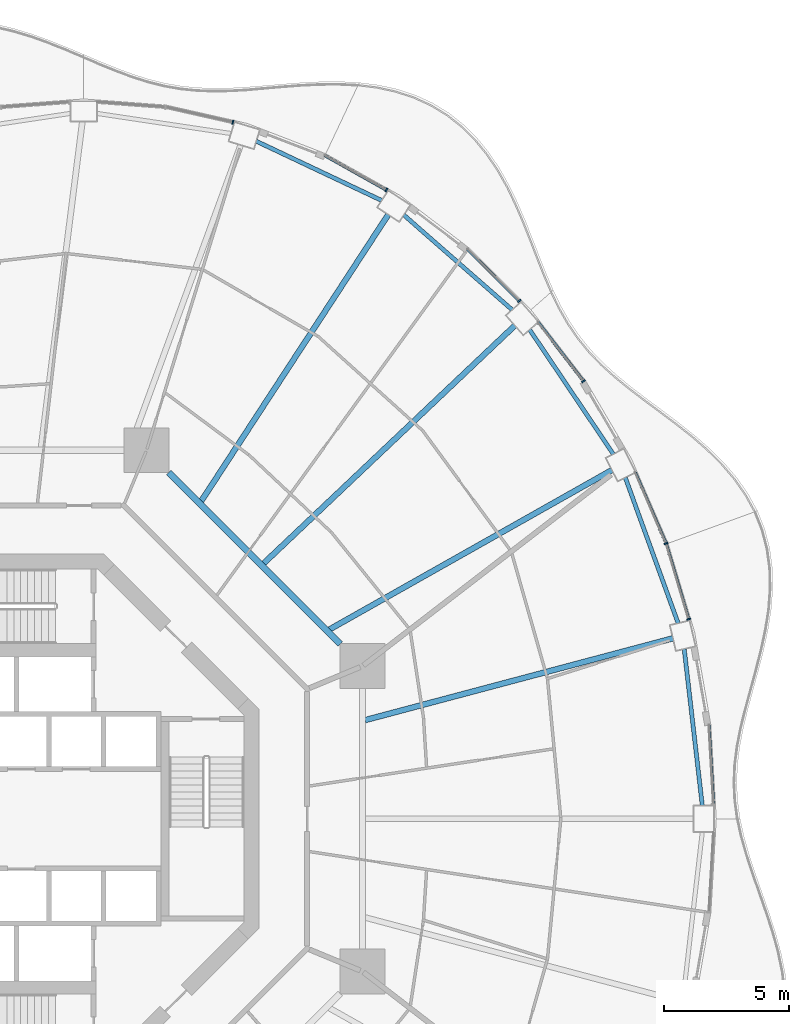
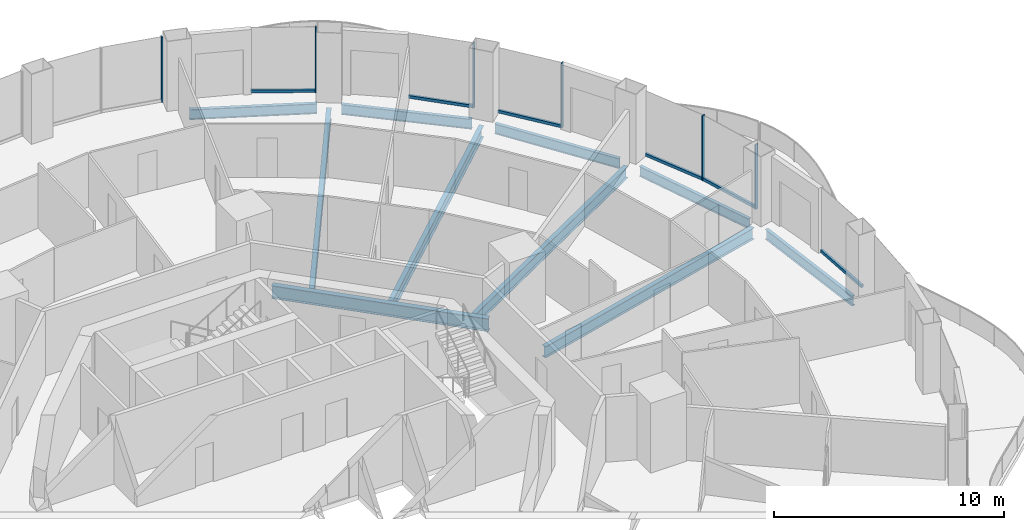
# One storey, part 8 of 19: 12 members, 10 beams, 7 elements without a shape of their own.
"""IFC4 building model written with IfcOpenShell, lengths in metres."""

from ifc_helpers import new_model, si_unit, direction, frame, origin, origin_2d, place, context, subcontext, project, spatial, rectangle, i_section, extrude, material, layer, layer_set, material_profile, profile_set, type_object, element, aggregate, save


model = new_model("IFC4")

# Units and contexts
model_context = context("Model", 3, precision=1e-05, world=origin(), true_north=direction((0.0, 1.0)))
body_context = subcontext(model_context, "Body", "Model", "MODEL_VIEW")
ifc_project = project(units=[si_unit("LENGTHUNIT", "METRE"), si_unit("AREAUNIT", "SQUARE_METRE"), si_unit("VOLUMEUNIT", "CUBIC_METRE"), si_unit("PLANEANGLEUNIT", "RADIAN"), si_unit("MASSUNIT", "GRAM", prefix="KILO")], contexts=[model_context])

# Site, building, storey
site_placement = place(None, origin())
site = spatial("IfcSite", under=ifc_project, at=site_placement, CompositionType="ELEMENT")
building_placement = place(site_placement, origin())
building = spatial("IfcBuilding", under=site, at=building_placement, Name="Nagisa Residences", CompositionType="ELEMENT")
storey_placement = place(building_placement, frame((0.0, 0.0, 195.5)))
storey = spatial("IfcBuildingStorey", under=building, at=storey_placement, Name="L49", CompositionType="ELEMENT", Elevation=195.5)

# Curtain wall, member
ifc_material_1 = material(Name="Concrete-coloured aluminium curtain wall system", Category="concrete")
ifc_layer = layer(ifc_material_1, 0.159912109375)
ifc_layer_set = layer_set([ifc_layer], Name="CW1 CURTAIN WALL")
curtain_wall_type = type_object("IfcCurtainWallType", Name="CW1 CURTAIN WALL", PredefinedType="NOTDEFINED", material=ifc_layer_set)
curtain_wall_1_placement = place(storey_placement, origin())
curtain_wall_1 = element("IfcCurtainWall", 1, at=curtain_wall_1_placement, inside=storey, type_object=curtain_wall_type, Name="cw:CW1:L49:02", PredefinedType="NOTDEFINED")
ifc_material_2 = material(Name="Concrete-coloured aluminium", Category="concrete")
ifc_material_profile_1 = material_profile(ifc_material_2, rectangle(XDim=0.159912109375, YDim=0.06005859375, at=origin_2d()), Name="CW1 MULLION 160x60")
ifc_profile_set_1 = profile_set([ifc_material_profile_1], Name="Concrete-coloured aluminium")
member_type_1 = type_object("IfcMemberType", Name="CW1 MULLION 160x60", PredefinedType="MULLION", material=ifc_profile_set_1)
member_1_placement = place(storey_placement, frame((27.867919921875, 8.00634765625, 0.0), z_axis=(0.0, 0.0, 1.0), x_axis=(-0.958271310082, -0.285860274038, 0.0)))
member_1 = element("IfcMember", 2, at=member_1_placement, type_object=member_type_1, Name="CW1 mullion", PredefinedType="MULLION", context=body_context, shape_type="SweptSolid", body=[
    extrude(rectangle(XDim=0.159912109375, YDim=0.06005859375, at=origin_2d()), origin(), (0.0, 0.0, 1.0), 3.43994140625),
])

curtain_wall_2_placement = place(storey_placement, origin())
curtain_wall_2 = element("IfcCurtainWall", 3, at=curtain_wall_2_placement, inside=storey, type_object=curtain_wall_type, Name="cw:CW1:L49:03", PredefinedType="NOTDEFINED")
member_2_placement = place(storey_placement, frame((26.9580078125, 11.045654296875, 0.0), z_axis=(0.0, 0.0, 1.0), x_axis=(-0.917543276295, -0.397635934147, 0.0)))
member_2 = element("IfcMember", 4, at=member_2_placement, type_object=member_type_1, Name="CW1 mullion", PredefinedType="MULLION", context=body_context, shape_type="SweptSolid", body=[
    extrude(rectangle(XDim=0.159912109375, YDim=0.06005859375, at=origin_2d()), origin(), (0.0, 0.0, 1.0), 3.43994140625),
])

curtain_wall_3_placement = place(storey_placement, origin())
curtain_wall_3 = element("IfcCurtainWall", 5, at=curtain_wall_3_placement, inside=storey, type_object=curtain_wall_type, Name="cw:CW1:L49:05", PredefinedType="NOTDEFINED")
member_3_placement = place(storey_placement, frame((23.649658203125, 17.552978515625, 0.0), z_axis=(0.0, 0.0, 1.0), x_axis=(-0.792070340816, -0.610429828235, 0.0)))
member_3 = element("IfcMember", 6, at=member_3_placement, type_object=member_type_1, Name="CW1 mullion", PredefinedType="MULLION", context=body_context, shape_type="SweptSolid", body=[
    extrude(rectangle(XDim=0.159912109375, YDim=0.06005859375, at=origin_2d()), origin(), (0.0, 0.0, 1.0), 3.43994140625),
])

curtain_wall_4_placement = place(storey_placement, origin())
curtain_wall_4 = element("IfcCurtainWall", 7, at=curtain_wall_4_placement, inside=storey, type_object=curtain_wall_type, Name="cw:CW1:L49:06", PredefinedType="NOTDEFINED")
member_4_placement = place(storey_placement, frame((21.07568359375, 20.770751953125, 0.0), z_axis=(0.0, 0.0, 1.0), x_axis=(-0.706376885714, -0.707835924016, 0.0)))
member_4 = element("IfcMember", 8, at=member_4_placement, type_object=member_type_1, Name="CW1 mullion", PredefinedType="MULLION", context=body_context, shape_type="SweptSolid", body=[
    extrude(rectangle(XDim=0.159912109375, YDim=0.06005859375, at=origin_2d()), origin(), (0.0, 0.0, 1.0), 3.43994140625),
])

curtain_wall_5_placement = place(storey_placement, origin())
curtain_wall_5 = element("IfcCurtainWall", 9, at=curtain_wall_5_placement, inside=storey, type_object=curtain_wall_type, Name="cw:CW1:L49:08", PredefinedType="NOTDEFINED")
member_5_placement = place(storey_placement, frame((15.742431640625, 25.220458984375, 0.0), z_axis=(0.0, 0.0, 1.0), x_axis=(-0.489376918501, -0.872072377523, 0.0)))
member_5 = element("IfcMember", 10, at=member_5_placement, type_object=member_type_1, Name="CW1 mullion", PredefinedType="MULLION", context=body_context, shape_type="SweptSolid", body=[
    extrude(rectangle(XDim=0.159912109375, YDim=0.06005859375, at=origin_2d()), origin(), (0.0, 0.0, 1.0), 3.43994140625),
])

curtain_wall_6_placement = place(storey_placement, origin())
curtain_wall_6 = element("IfcCurtainWall", 11, at=curtain_wall_6_placement, inside=storey, type_object=curtain_wall_type, Name="cw:CW1:L49:10", PredefinedType="NOTDEFINED")
member_6_placement = place(storey_placement, frame((9.584228515625, 27.941162109375, 0.0), z_axis=(0.0, 0.0, 1.0), x_axis=(-0.2207639201, -0.975327274089, 0.0)))
member_6 = element("IfcMember", 12, at=member_6_placement, type_object=member_type_1, Name="CW1 mullion", PredefinedType="MULLION", context=body_context, shape_type="SweptSolid", body=[
    extrude(rectangle(XDim=0.159912109375, YDim=0.06005859375, at=origin_2d()), origin(), (0.0, 0.0, 1.0), 3.43994140625),
])
aggregate(curtain_wall_6, [member_6])

curtain_wall_7_placement = place(storey_placement, origin())
curtain_wall_7 = element("IfcCurtainWall", 13, at=curtain_wall_7_placement, inside=storey, type_object=curtain_wall_type, Name="cw:CW1:L49:00", PredefinedType="NOTDEFINED")
ifc_material_3 = material(Name="Concrete-coloured aluminium", Category="concrete")
ifc_material_profile_2 = material_profile(ifc_material_3, rectangle(XDim=0.1201171875, YDim=0.14990234375, at=origin_2d()), Name="CW1 TRANSOM 120x150")
ifc_profile_set_2 = profile_set([ifc_material_profile_2], Name="Concrete-coloured aluminium")
member_type_2 = type_object("IfcMemberType", Name="CW1 TRANSOM 120x150", PredefinedType="USERDEFINED", material=ifc_profile_set_2)
member_7_placement = place(storey_placement, frame((28.863525390625, 0.54443359375, 0.074951171875), z_axis=(-0.057528345118, 0.998343873376, 0.0), x_axis=(-0.998343873376, -0.057528345118, 0.0)))
member_7 = element("IfcMember", 14, at=member_7_placement, type_object=member_type_2, Name="CW1 transom", ObjectType="TRANSOM", PredefinedType="USERDEFINED", context=body_context, shape_type="SweptSolid", body=[
    extrude(rectangle(XDim=0.1201171875, YDim=0.14990234375, at=origin_2d()), origin(), (0.0, 0.0, 1.0), 3.225341796875),
])
aggregate(curtain_wall_7, [member_7])

# Member
member_8_placement = place(storey_placement, frame((27.87646484375, 7.9775390625, 0.074951171875), z_axis=(-0.28584838049, 0.958274857946, 0.0), x_axis=(-0.958274857946, -0.28584838049, 0.0)))
member_8 = element("IfcMember", 15, at=member_8_placement, type_object=member_type_2, Name="CW1 transom", ObjectType="TRANSOM", PredefinedType="USERDEFINED", context=body_context, shape_type="SweptSolid", body=[
    extrude(rectangle(XDim=0.1201171875, YDim=0.14990234375, at=origin_2d()), origin(), (0.0, 0.0, 1.0), 3.182373046875),
])

aggregate(curtain_wall_1, [member_1, member_8])

member_9_placement = place(storey_placement, frame((26.969970703125, 11.01806640625, 0.074951171875), z_axis=(-0.397592173732, 0.917562239517, 0.0), x_axis=(-0.917562239517, -0.397592173732, 0.0)))
member_9 = element("IfcMember", 16, at=member_9_placement, type_object=member_type_2, Name="CW1 transom", ObjectType="TRANSOM", PredefinedType="USERDEFINED", context=body_context, shape_type="SweptSolid", body=[
    extrude(rectangle(XDim=0.1201171875, YDim=0.14990234375, at=origin_2d()), origin(), (0.0, 0.0, 1.0), 3.14208984375),
])

aggregate(curtain_wall_2, [member_2, member_9])

member_10_placement = place(storey_placement, frame((23.66796875, 17.529052734375, 0.074951171875), z_axis=(-0.610398538814, 0.792094453846, 0.0), x_axis=(-0.792094453846, -0.610398538814, 0.0)))
member_10 = element("IfcMember", 17, at=member_10_placement, type_object=member_type_2, Name="CW1 transom", ObjectType="TRANSOM", PredefinedType="USERDEFINED", context=body_context, shape_type="SweptSolid", body=[
    extrude(rectangle(XDim=0.1201171875, YDim=0.14990234375, at=origin_2d()), origin(), (0.0, 0.0, 1.0), 3.035400390625),
])

aggregate(curtain_wall_3, [member_3, member_10])

member_11_placement = place(storey_placement, frame((21.096923828125, 20.74951171875, 0.074951171875), z_axis=(-0.707803821372, 0.706409053206, 0.0), x_axis=(-0.706409053206, -0.707803821372, 0.0)))
member_11 = element("IfcMember", 18, at=member_11_placement, type_object=member_type_2, Name="CW1 transom", ObjectType="TRANSOM", PredefinedType="USERDEFINED", context=body_context, shape_type="SweptSolid", body=[
    extrude(rectangle(XDim=0.1201171875, YDim=0.14990234375, at=origin_2d()), origin(), (0.0, 0.0, 1.0), 2.9755859375),
])

aggregate(curtain_wall_4, [member_4, member_11])

member_12_placement = place(storey_placement, frame((15.768798828125, 25.205810546875, 0.074951171875), z_axis=(-0.872078262455, 0.489366431371, 0.0), x_axis=(-0.489366431371, -0.872078262455, 0.0)))
member_12 = element("IfcMember", 19, at=member_12_placement, type_object=member_type_2, Name="CW1 transom", ObjectType="TRANSOM", PredefinedType="USERDEFINED", context=body_context, shape_type="SweptSolid", body=[
    extrude(rectangle(XDim=0.1201171875, YDim=0.14990234375, at=origin_2d()), origin(), (0.0, 0.0, 1.0), 2.863525390625),
])

aggregate(curtain_wall_5, [member_5, member_12])

# Beams
ifc_material_4 = material(Name="Steel ASTM A572 Gr 50", Category="steel")
ifc_material_profile_3 = material_profile(ifc_material_4, i_section(OverallWidth=0.25390625, OverallDepth=0.68408203125, WebThickness=0.012451171875, FlangeThickness=0.018798828125, at=origin_2d()), Name="W690x140")
ifc_profile_set_3 = profile_set([ifc_material_profile_3], Name="Steel ASTM A572 Gr 50")
beam_type_1 = type_object("IfcBeamType", Name="Inner ring beam W690x140", PredefinedType="BEAM", material=ifc_profile_set_3)
beam_1_placement = place(storey_placement, frame((13.896240234375, 7.0087890625, -0.60205078125), z_axis=(-0.707106781187, 0.707106781187, 0.0), x_axis=(-0.707106781187, -0.707106781187, 0.0)))
element("IfcBeam", 20, at=beam_1_placement, inside=storey, type_object=beam_type_1, Name="beam:L49:ib1", PredefinedType="BEAM", context=body_context, shape_type="SweptSolid", body=[
    extrude(i_section(OverallWidth=0.25390625, OverallDepth=0.68408203125, WebThickness=0.012451171875, FlangeThickness=0.018798828125, at=origin_2d()), origin(), (0.0, 0.0, 1.0), 9.740234375),
])
ifc_material_5 = material(Name="Steel ASTM A572 Gr 50", Category="steel")
ifc_material_profile_4 = material_profile(ifc_material_5, i_section(OverallWidth=0.166015625, OverallDepth=0.534912109375, WebThickness=0.01025390625, FlangeThickness=0.0166015625, at=origin_2d()), Name="W530x85")
ifc_profile_set_4 = profile_set([ifc_material_profile_4], Name="Steel ASTM A572 Gr 50")
beam_type_2 = type_object("IfcBeamType", Name="Perimeter ring beam W530x85", PredefinedType="BEAM", material=ifc_profile_set_4)
beam_2_placement = place(storey_placement, frame((28.413818359375, 0.530029296875, -0.527587890625), z_axis=(-0.11463289794, 0.993407921606, 0.0), x_axis=(-0.993407921606, -0.11463289794, 0.0)))
element("IfcBeam", 21, at=beam_2_placement, inside=storey, type_object=beam_type_2, Name="beam:L49:pb01", PredefinedType="BEAM", context=body_context, shape_type="SweptSolid", body=[
    extrude(i_section(OverallWidth=0.166015625, OverallDepth=0.534912109375, WebThickness=0.01025390625, FlangeThickness=0.0166015625, at=origin_2d()), origin(), (0.0, 0.0, 1.0), 6.325439453125),
])
beam_3_placement = place(storey_placement, frame((27.4453125, 7.845703125, -0.527587890625), z_axis=(-0.341320243926, 0.939947068237, 0.0), x_axis=(-0.939947068237, -0.341320243926, 0.0)))
element("IfcBeam", 22, at=beam_3_placement, inside=storey, type_object=beam_type_2, Name="beam:L49:pb02", PredefinedType="BEAM", context=body_context, shape_type="SweptSolid", body=[
    extrude(i_section(OverallWidth=0.166015625, OverallDepth=0.534912109375, WebThickness=0.01025390625, FlangeThickness=0.0166015625, at=origin_2d()), origin(), (0.0, 0.0, 1.0), 6.212890625),
])
beam_4_placement = place(storey_placement, frame((24.84423828125, 14.630615234375, -0.527587890625), z_axis=(-0.558152301307, 0.829738518177, 0.0), x_axis=(-0.829738518177, -0.558152301307, 0.0)))
element("IfcBeam", 23, at=beam_4_placement, inside=storey, type_object=beam_type_2, Name="beam:L49:pb03", PredefinedType="BEAM", context=body_context, shape_type="SweptSolid", body=[
    extrude(i_section(OverallWidth=0.166015625, OverallDepth=0.534912109375, WebThickness=0.01025390625, FlangeThickness=0.0166015625, at=origin_2d()), origin(), (0.0, 0.0, 1.0), 6.013916015625),
])
beam_5_placement = place(storey_placement, frame((20.786865234375, 20.416259765625, -0.527587890625), z_axis=(-0.752461486776, 0.658636250838, 0.0), x_axis=(-0.658636250838, -0.752461486776, 0.0)))
element("IfcBeam", 24, at=beam_5_placement, inside=storey, type_object=beam_type_2, Name="beam:L49:pb04", PredefinedType="BEAM", context=body_context, shape_type="SweptSolid", body=[
    extrude(i_section(OverallWidth=0.166015625, OverallDepth=0.534912109375, WebThickness=0.01025390625, FlangeThickness=0.0166015625, at=origin_2d()), origin(), (0.0, 0.0, 1.0), 5.776611328125),
])
beam_6_placement = place(storey_placement, frame((15.553466796875, 24.80224609375, -0.527587890625), z_axis=(-0.904157325884, 0.427199637232, 0.0), x_axis=(-0.427199637232, -0.904157325884, 0.0)))
element("IfcBeam", 25, at=beam_6_placement, inside=storey, type_object=beam_type_2, Name="beam:L49:pb05", PredefinedType="BEAM", context=body_context, shape_type="SweptSolid", body=[
    extrude(i_section(OverallWidth=0.166015625, OverallDepth=0.534912109375, WebThickness=0.01025390625, FlangeThickness=0.0166015625, at=origin_2d()), origin(), (0.0, 0.0, 1.0), 5.56396484375),
])
ifc_material_6 = material(Name="Steel ASTM A572 Gr 50", Category="steel")
ifc_material_profile_5 = material_profile(ifc_material_6, i_section(OverallWidth=0.22802734375, OverallDepth=0.60302734375, WebThickness=0.010498046875, FlangeThickness=0.014892578125, at=origin_2d()), Name="W610x101")
ifc_profile_set_5 = profile_set([ifc_material_profile_5], Name="Steel ASTM A572 Gr 50")
beam_type_3 = type_object("IfcBeamType", Name="Radial beam W610x101", PredefinedType="BEAM", material=ifc_profile_set_5)
beam_7_placement = place(storey_placement, frame((27.23583984375, 7.239990234375, -0.5615234375), z_axis=(-0.966436061719, -0.256907256826, 0.0), x_axis=(0.256907256826, -0.966436061719, 0.0)))
element("IfcBeam", 26, at=beam_7_placement, inside=storey, type_object=beam_type_3, Name="beam:L49:rb02", PredefinedType="BEAM", context=body_context, shape_type="SweptSolid", body=[
    extrude(i_section(OverallWidth=0.22802734375, OverallDepth=0.60302734375, WebThickness=0.010498046875, FlangeThickness=0.014892578125, at=origin_2d()), origin(), (0.0, 0.0, 1.0), 12.77490234375),
])
beam_8_placement = place(storey_placement, frame((24.789306640625, 13.98828125, -0.5615234375), z_axis=(-0.870904520395, -0.491452252366, 0.0), x_axis=(0.491452252366, -0.870904520395, 0.0)))
element("IfcBeam", 27, at=beam_8_placement, inside=storey, type_object=beam_type_3, Name="beam:L49:rb03", PredefinedType="BEAM", context=body_context, shape_type="SweptSolid", body=[
    extrude(i_section(OverallWidth=0.22802734375, OverallDepth=0.60302734375, WebThickness=0.010498046875, FlangeThickness=0.014892578125, at=origin_2d()), origin(), (0.0, 0.0, 1.0), 13.007080078125),
])
beam_9_placement = place(storey_placement, frame((20.89501953125, 19.785400390625, -0.5615234375), z_axis=(-0.726119962477, -0.687568033064, 0.0), x_axis=(0.687568033064, -0.726119962477, 0.0)))
element("IfcBeam", 28, at=beam_9_placement, inside=storey, type_object=beam_type_3, Name="beam:L49:rb04", PredefinedType="BEAM", context=body_context, shape_type="SweptSolid", body=[
    extrude(i_section(OverallWidth=0.22802734375, OverallDepth=0.60302734375, WebThickness=0.010498046875, FlangeThickness=0.014892578125, at=origin_2d()), origin(), (0.0, 0.0, 1.0), 13.88134765625),
])
beam_10_placement = place(storey_placement, frame((15.816162109375, 24.234375, -0.5615234375), z_axis=(-0.546541244511, -0.837432187135, 0.0), x_axis=(0.837432187135, -0.546541244511, 0.0)))
element("IfcBeam", 29, at=beam_10_placement, inside=storey, type_object=beam_type_3, Name="beam:L49:rb05", PredefinedType="BEAM", context=body_context, shape_type="SweptSolid", body=[
    extrude(i_section(OverallWidth=0.22802734375, OverallDepth=0.60302734375, WebThickness=0.010498046875, FlangeThickness=0.014892578125, at=origin_2d()), origin(), (0.0, 0.0, 1.0), 13.72412109375),
])

save(model, "model.ifc")
